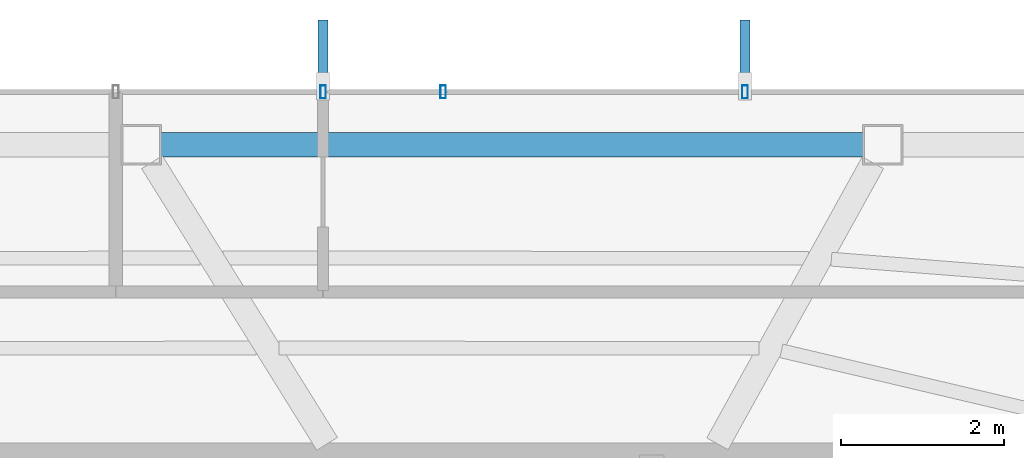
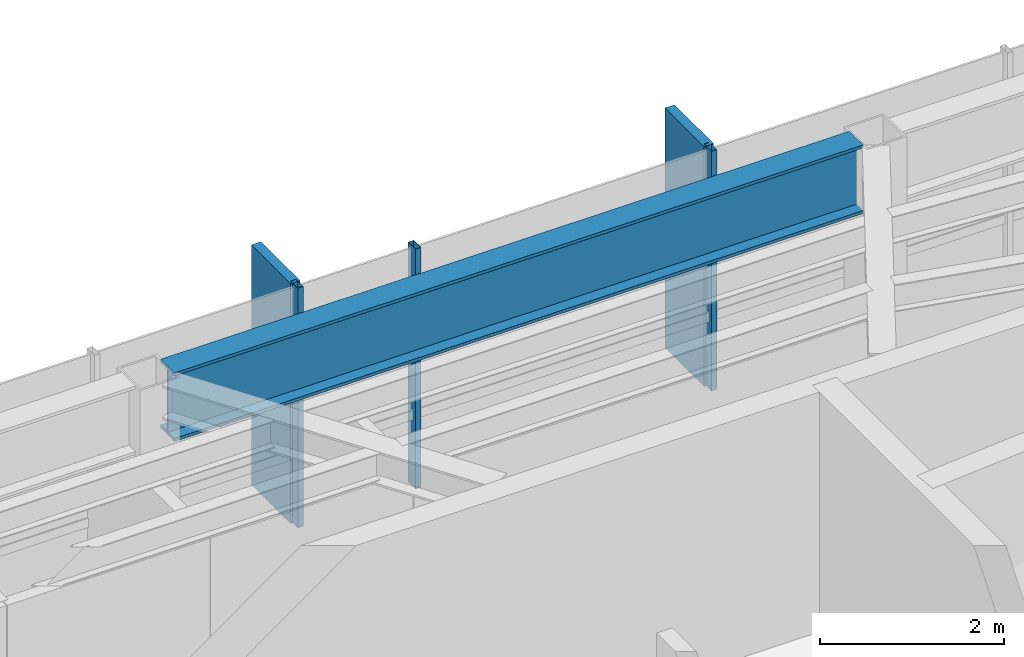
# One storey, part 14 of 26: 5 members, 1 beam, 1 element without a shape of its own.
"""IFC4 building model written with IfcOpenShell, lengths in metres."""

from ifc_helpers import new_model, si_unit, direction, frame, origin, origin_2d, place, context, subcontext, project, spatial, rectangle, hollow_rectangle, i_section, extrude, material, layer, layer_set, material_profile, profile_set, type_object, element, aggregate, save


model = new_model("IFC4")

# Units and contexts
model_context = context("Model", 3, precision=1e-05, world=origin(), true_north=direction((0.0, 1.0)))
body_context = subcontext(model_context, "Body", "Model", "MODEL_VIEW")
ifc_project = project(units=[si_unit("LENGTHUNIT", "METRE"), si_unit("AREAUNIT", "SQUARE_METRE"), si_unit("VOLUMEUNIT", "CUBIC_METRE"), si_unit("PLANEANGLEUNIT", "RADIAN"), si_unit("MASSUNIT", "GRAM", prefix="KILO")], contexts=[model_context])

# Site, building, storey
site_placement = place(None, origin())
site = spatial("IfcSite", under=ifc_project, at=site_placement, CompositionType="ELEMENT")
building_placement = place(site_placement, origin())
building = spatial("IfcBuilding", under=site, at=building_placement, Name="Zarrinselat Tower", CompositionType="ELEMENT")
storey_placement = place(building_placement, frame((0.0, 0.0, 258.39990234375)))
storey = spatial("IfcBuildingStorey", under=building, at=storey_placement, Name="L65", CompositionType="ELEMENT", Elevation=258.39990234375)

# Beam
ifc_material_1 = material(Name="Steel S460M", Category="steel")
ifc_material_profile_1 = material_profile(ifc_material_1, i_section(OverallWidth=0.302001953125, OverallDepth=0.909912109375, WebThickness=0.02099609375, FlangeThickness=0.0400390625, at=origin_2d()), Name="HEM 900")
ifc_profile_set_1 = profile_set([ifc_material_profile_1], Name="Steel S460M")
beam_type = type_object("IfcBeamType", Name="BM-HEM900", PredefinedType="BEAM", material=ifc_profile_set_1)
beam_placement = place(storey_placement, frame((38.951904296875, 47.216796875, 2.72509765625), z_axis=(1.0, 0.0, 0.0), x_axis=(0.0, 1.0, 0.0)))
element("IfcBeam", 1, at=beam_placement, inside=storey, type_object=beam_type, Name="L65 Perimeter Spandrel Girder SP02", PredefinedType="BEAM", context=body_context, shape_type="SweptSolid", body=[
    extrude(i_section(OverallWidth=0.302001953125, OverallDepth=0.909912109375, WebThickness=0.02099609375, FlangeThickness=0.0400390625, at=origin_2d()), origin(), (0.0, 0.0, 1.0), 8.642822265625),
])

# Curtain wall, members
ifc_material_2 = material(Name="Extruded Aluminium Alloy EN AW-6063 T6", Category="aluminium")
ifc_layer = layer(ifc_material_2, 0.169921875)
ifc_layer_set = layer_set([ifc_layer], Name="Extruded Aluminium Alloy EN AW-6063 T6")
curtain_wall_type = type_object("IfcCurtainWallType", Name="CWS-RES", PredefinedType="NOTDEFINED", material=ifc_layer_set)
curtain_wall_placement = place(storey_placement, origin())
curtain_wall = element("IfcCurtainWall", 2, at=curtain_wall_placement, inside=storey, type_object=curtain_wall_type, Name="L65 Unitised Curtain Wall CW-L65-E01", PredefinedType="NOTDEFINED")
ifc_material_3 = material(Name="Extruded Aluminium Alloy EN AW-6063 T6", Category="aluminium")
ifc_material_profile_2 = material_profile(ifc_material_3, hollow_rectangle(XDim=0.070068359375, YDim=0.159912109375, WallThickness=0.00390625, at=origin_2d()), Name="RHS 160x70x4")
ifc_profile_set_2 = profile_set([ifc_material_profile_2], Name="Extruded Aluminium Alloy EN AW-6063 T6")
member_type_1 = type_object("IfcMemberType", Name="MEM-CW-MUL2", PredefinedType="MULLION", material=ifc_profile_set_2)
member_1_placement = place(storey_placement, frame((46.13818359375, 47.86669921875, 0.0), z_axis=(0.0, 0.0, 1.0), x_axis=(-1.0, 0.0, 0.0)))
member_1 = element("IfcMember", 3, at=member_1_placement, type_object=member_type_1, Name="CW-L65-E01 Mullion 3", PredefinedType="MULLION", context=body_context, shape_type="SweptSolid", body=[
    extrude(hollow_rectangle(XDim=0.070068359375, YDim=0.159912109375, WallThickness=0.00390625, at=origin_2d()), origin(), (0.0, 0.0, 1.0), 3.18017578125),
])
member_2_placement = place(storey_placement, frame((42.426025390625, 47.86669921875, 0.0), z_axis=(0.0, 0.0, 1.0), x_axis=(-1.0, 0.0, 0.0)))
member_2 = element("IfcMember", 4, at=member_2_placement, type_object=member_type_1, Name="CW-L65-E01 Mullion 4", PredefinedType="MULLION", context=body_context, shape_type="SweptSolid", body=[
    extrude(hollow_rectangle(XDim=0.070068359375, YDim=0.159912109375, WallThickness=0.00390625, at=origin_2d()), origin(), (0.0, 0.0, 1.0), 3.18017578125),
])
member_3_placement = place(storey_placement, frame((40.949951171875, 47.86669921875, 0.0), z_axis=(0.0, 0.0, 1.0), x_axis=(-1.0, 0.0, 0.0)))
member_3 = element("IfcMember", 5, at=member_3_placement, type_object=member_type_1, Name="CW-L65-E01 Mullion 5", PredefinedType="MULLION", context=body_context, shape_type="SweptSolid", body=[
    extrude(hollow_rectangle(XDim=0.070068359375, YDim=0.159912109375, WallThickness=0.00390625, at=origin_2d()), origin(), (0.0, 0.0, 1.0), 3.18017578125),
])
ifc_material_4 = material(Name="Honed Cream Travertine Stone", Category="masonry")
ifc_material_profile_3 = material_profile(ifc_material_4, rectangle(XDim=0.1201171875, YDim=0.85009765625, at=origin_2d()), Name="FIN 850x120")
ifc_profile_set_3 = profile_set([ifc_material_profile_3], Name="Honed Cream Travertine Stone")
member_type_2 = type_object("IfcMemberType", Name="MEM-STONE-FIN", PredefinedType="USERDEFINED", material=ifc_profile_set_3)
member_4_placement = place(storey_placement, frame((46.13818359375, 48.32666015625, 0.0), z_axis=(0.0, 0.0, 1.0), x_axis=(1.0, 0.0, 0.0)))
member_4 = element("IfcMember", 6, at=member_4_placement, type_object=member_type_2, Name="L65 Stone Shading Fin CW-L65-E01-03", ObjectType="FIN", PredefinedType="USERDEFINED", context=body_context, shape_type="SweptSolid", body=[
    extrude(rectangle(XDim=0.1201171875, YDim=0.85009765625, at=origin_2d()), origin(), (0.0, 0.0, 1.0), 3.18017578125),
])
member_5_placement = place(storey_placement, frame((40.949951171875, 48.32666015625, 0.0), z_axis=(0.0, 0.0, 1.0), x_axis=(1.0, 0.0, 0.0)))
member_5 = element("IfcMember", 7, at=member_5_placement, type_object=member_type_2, Name="L65 Stone Shading Fin CW-L65-E01-05", ObjectType="FIN", PredefinedType="USERDEFINED", context=body_context, shape_type="SweptSolid", body=[
    extrude(rectangle(XDim=0.1201171875, YDim=0.85009765625, at=origin_2d()), origin(), (0.0, 0.0, 1.0), 3.18017578125),
])
aggregate(curtain_wall, [member_1, member_4, member_2, member_3, member_5])

save(model, "model.ifc")
